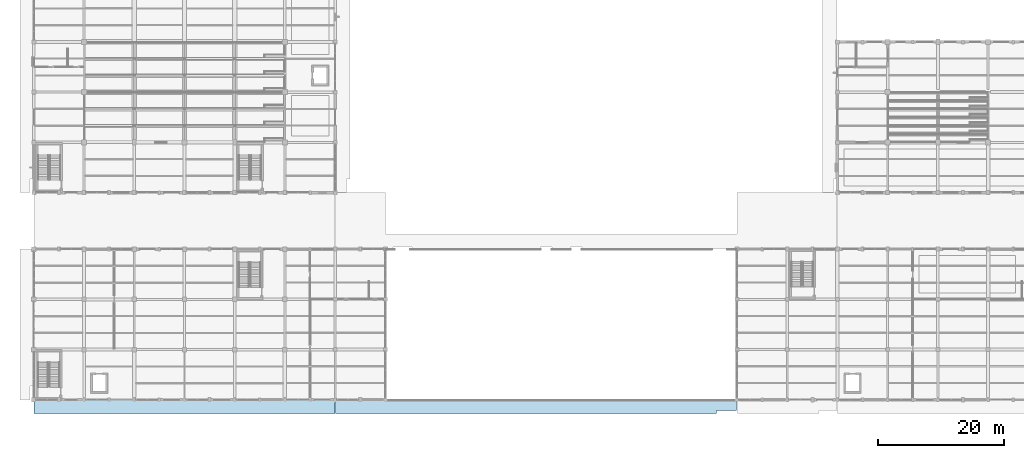
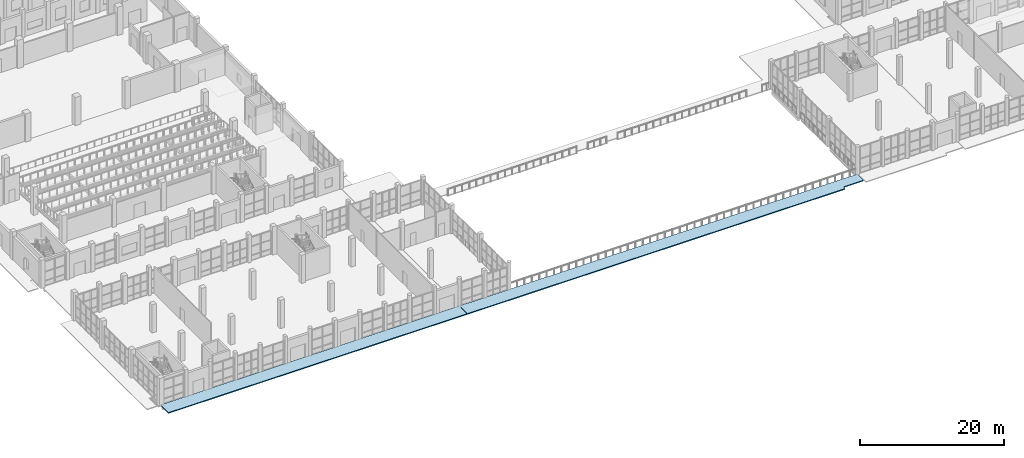
# One storey, part 105 of 156: 1 slab.
"""IFC4 building model written with IfcOpenShell, lengths in metres."""

from ifc_helpers import new_model, si_unit, direction, frame, origin, place, context, subcontext, project, spatial, polyline, outline, extrude, material, layer, layer_set, type_object, element, save


model = new_model("IFC4")

# Units and contexts
model_context = context("Model", 3, precision=1e-05, world=origin(), true_north=direction((0.0, 1.0)))
body_context = subcontext(model_context, "Body", "Model", "MODEL_VIEW")
ifc_project = project(units=[si_unit("LENGTHUNIT", "METRE"), si_unit("AREAUNIT", "SQUARE_METRE"), si_unit("VOLUMEUNIT", "CUBIC_METRE"), si_unit("PLANEANGLEUNIT", "RADIAN"), si_unit("MASSUNIT", "GRAM", prefix="KILO")], contexts=[model_context])

# Site, building, storey
site_placement = place(None, origin())
site = spatial("IfcSite", under=ifc_project, at=site_placement, CompositionType="ELEMENT")
building_placement = place(site_placement, origin())
building = spatial("IfcBuilding", under=site, at=building_placement, Name="Luwemba Playhouse", CompositionType="ELEMENT")
storey_placement = place(building_placement, origin())
storey = spatial("IfcBuildingStorey", under=building, at=storey_placement, Name="L00", CompositionType="ELEMENT", Elevation=0.0)

# Slab
ifc_material = material(Name="Concrete C32/40", Category="concrete")
ifc_layer = layer(ifc_material, 0.159912109375)
ifc_layer_set = layer_set([ifc_layer], Name="Concrete C32/40")
slab_type = type_object("IfcSlabType", Name="SLB-PAV-160", PredefinedType="USERDEFINED", material=ifc_layer_set)
slab_placement = place(storey_placement, frame((0.0, 0.0, -0.159912109375)))
element("IfcSlab", 1, at=slab_placement, inside=storey, type_object=slab_type, Name="L00 external civic plaza paving PAV-SOUTH-WEST", ObjectType="PAVING", PredefinedType="USERDEFINED", context=body_context, shape_type="SweptSolid", body=[
    extrude(outline(polyline([(4.0, 0.800048828125), (51.969970703125, 0.800048828125), (51.969970703125, 2.550048828125), (52.030029296875, 2.550048828125), (52.030029296875, 0.800048828125), (112.75, 0.800048828125), (112.75, 1.280029296875), (115.949951171875, 1.280029296875), (115.949951171875, 3.0), (4.0, 3.0), (4.0, 0.800048828125)])), origin(), (0.0, 0.0, 1.0), 0.159912109375),
])

save(model, "model.ifc")
